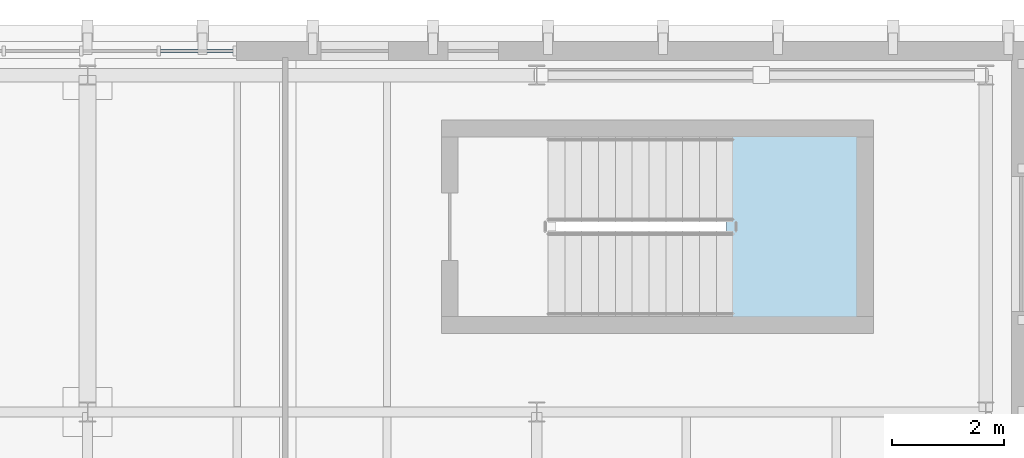
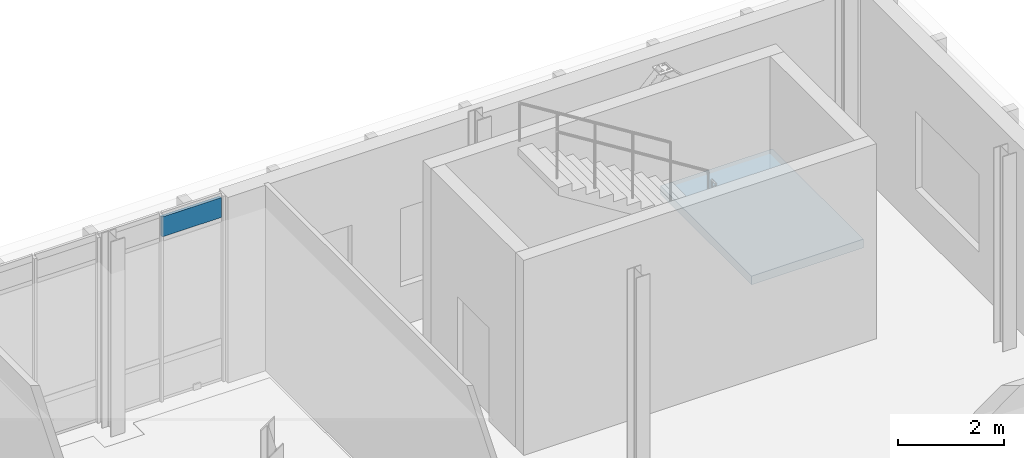
# One storey, part 35 of 62: 1 plate, 1 slab, 2 elements without a shape of their own.
"""IFC4 building model written with IfcOpenShell, lengths in metres."""

from ifc_helpers import new_model, si_unit, direction, frame, origin, origin_2d, place, context, subcontext, project, spatial, polyline, rectangle, outline, extrude, material, layer, layer_set, type_object, element, aggregate, save


model = new_model("IFC4")

# Units and contexts
model_context = context("Model", 3, precision=1e-05, world=origin(), true_north=direction((0.0, 1.0)))
body_context = subcontext(model_context, "Body", "Model", "MODEL_VIEW")
ifc_project = project(units=[si_unit("LENGTHUNIT", "METRE"), si_unit("AREAUNIT", "SQUARE_METRE"), si_unit("VOLUMEUNIT", "CUBIC_METRE"), si_unit("PLANEANGLEUNIT", "RADIAN"), si_unit("MASSUNIT", "GRAM", prefix="KILO")], contexts=[model_context])

# Site, building, storey
site_placement = place(None, origin())
site = spatial("IfcSite", under=ifc_project, at=site_placement, CompositionType="ELEMENT")
building_placement = place(site_placement, origin())
building = spatial("IfcBuilding", under=site, at=building_placement, Name="Cymarion Research Institute", CompositionType="ELEMENT")
storey_placement = place(building_placement, frame((0.0, 0.0, 18.300048828125)))
storey = spatial("IfcBuildingStorey", under=building, at=storey_placement, Name="L04", CompositionType="ELEMENT", Elevation=18.300048828125)

# Curtain wall, plate
ifc_material_1 = material(Name="Anodised aluminium unitised curtain wall with Low-E glazing", Category="aluminium")
curtain_wall_type = type_object("IfcCurtainWallType", Name="UNITISED CURTAIN WALL CW44 6910X4280", PredefinedType="NOTDEFINED", material=ifc_material_1)
curtain_wall_placement = place(storey_placement, origin())
curtain_wall = element("IfcCurtainWall", 1, at=curtain_wall_placement, inside=storey, type_object=curtain_wall_type, Name="L04 V5 unitised curtain wall CW44 #193", PredefinedType="NOTDEFINED")
ifc_material_2 = material(Name="Insulated anodised aluminium spandrel panel", Category="aluminium")
ifc_layer_1 = layer(ifc_material_2, 0.06005859375)
ifc_layer_set_1 = layer_set([ifc_layer_1], Name="Insulated anodised aluminium spandrel panel")
plate_type = type_object("IfcPlateType", Name="INSULATED ALUMINIUM SPANDREL PANEL SP01 60MM", PredefinedType="SHEET", material=ifc_layer_set_1)
plate_placement = place(storey_placement, frame((32.545654296875, 115.929931640625, 3.760009765625), z_axis=(0.0, 0.0, 1.0), x_axis=(-1.0, 0.0, 0.0)))
plate = element("IfcPlate", 2, at=plate_placement, type_object=plate_type, Name="CW44 panel 1.3", PredefinedType="SHEET", context=body_context, shape_type="SweptSolid", body=[
    extrude(rectangle(XDim=1.29248046875, YDim=0.06005859375, at=origin_2d()), origin(), (0.0, 0.0, 1.0), 0.4599609375),
])
aggregate(curtain_wall, [plate])

# Stair, slab
ifc_material_3 = material(Name="Concrete C35/45", Category="concrete")
stair_type = type_object("IfcStairType", Name="REINFORCED CONCRETE DOGLEG STAIR STR-4500", PredefinedType="HALF_TURN_STAIR", material=ifc_material_3)
stair_placement = place(storey_placement, origin())
stair = element("IfcStair", 3, at=stair_placement, inside=storey, type_object=stair_type, Name="L04 Core C10 Smoke-Proof Exit Stair ST10", PredefinedType="HALF_TURN_STAIR")
ifc_layer_2 = layer(ifc_material_3, 0.199951171875)
ifc_layer_set_2 = layer_set([ifc_layer_2], Name="Concrete C35/45")
slab_type = type_object("IfcSlabType", Name="REINFORCED CONCRETE STAIR LANDING LDG200", PredefinedType="LANDING", material=ifc_layer_set_2)
slab_placement = place(storey_placement, frame((0.0, 0.0, 2.050048828125)))
slab = element("IfcSlab", 4, at=slab_placement, type_object=slab_type, Name="ST10 landing 1", PredefinedType="LANDING", context=body_context, shape_type="SweptSolid", body=[
    extrude(outline(polyline([(41.97998046875, 111.080078125), (41.97998046875, 114.52001953125), (44.419921875, 114.52001953125), (44.419921875, 111.080078125), (41.97998046875, 111.080078125)])), origin(), (0.0, 0.0, 1.0), 0.199951171875),
])
aggregate(stair, [slab])

save(model, "model.ifc")
